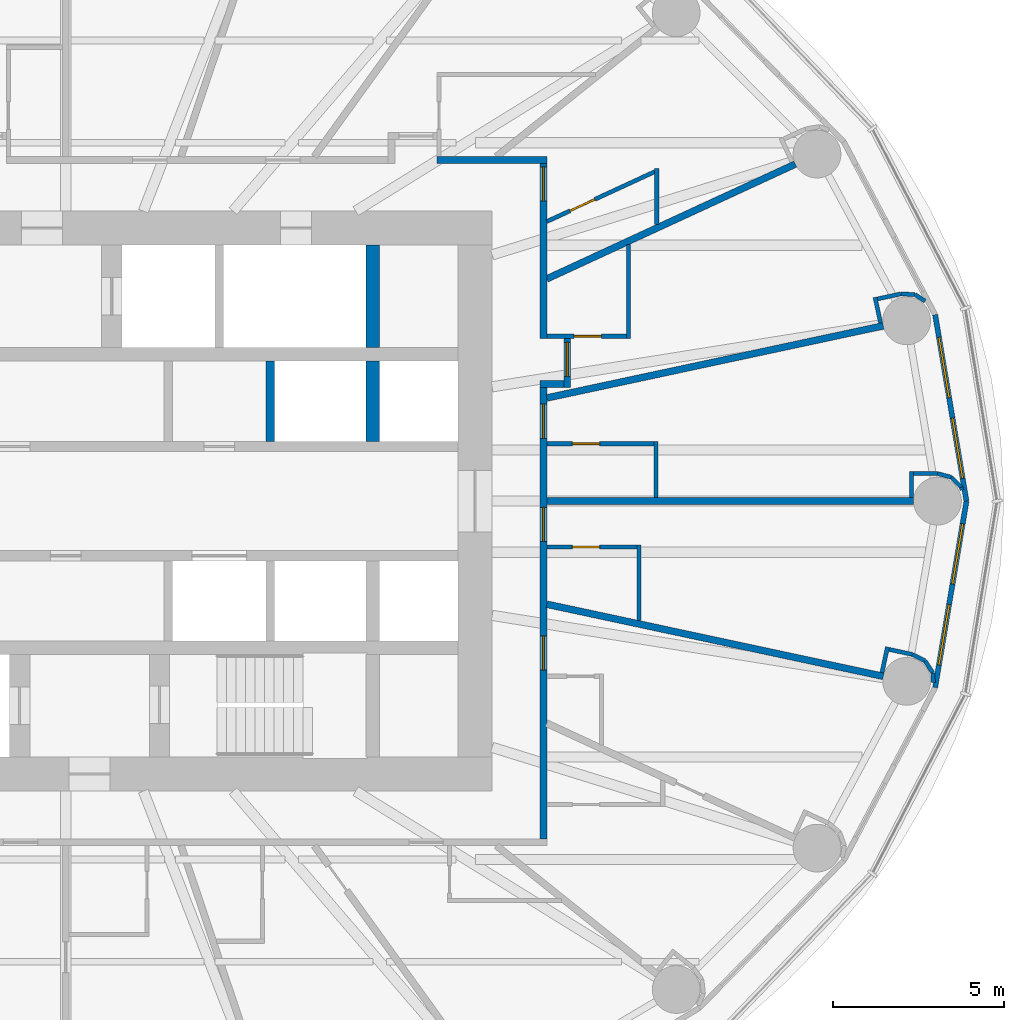
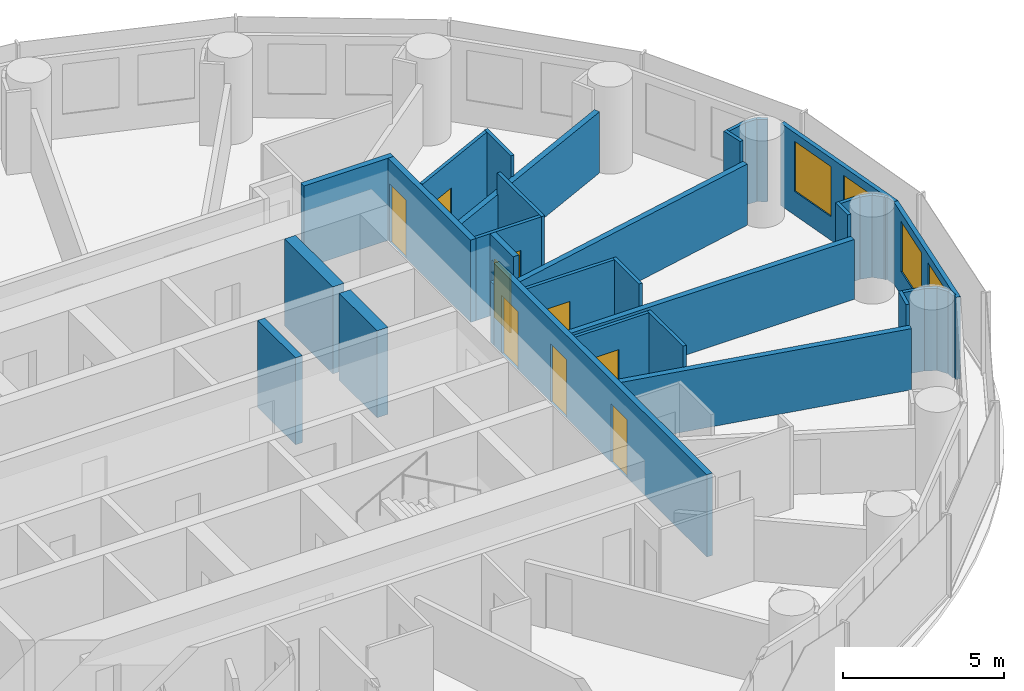
# One storey, part 11 of 16: 36 walls, 9 doors, 4 windows, 13 openings.
"""IFC4 building model written with IfcOpenShell, lengths in metres."""

from ifc_helpers import new_model, si_unit, direction, frame, frame_2d, origin, place, context, subcontext, project, spatial, rectangle, extrude, material, layer, layer_set, type_object, element, fill, save


model = new_model("IFC4")

# Units and contexts
model_context = context("Model", 3, precision=1e-05, world=origin(), true_north=direction((0.0, 1.0)))
body_context = subcontext(model_context, "Body", "Model", "MODEL_VIEW")
ifc_project = project(units=[si_unit("LENGTHUNIT", "METRE"), si_unit("AREAUNIT", "SQUARE_METRE"), si_unit("VOLUMEUNIT", "CUBIC_METRE"), si_unit("PLANEANGLEUNIT", "RADIAN"), si_unit("MASSUNIT", "GRAM", prefix="KILO")], contexts=[model_context])

# Site, building, storey
site_placement = place(None, origin())
site = spatial("IfcSite", under=ifc_project, at=site_placement, CompositionType="ELEMENT")
building_placement = place(site_placement, origin())
building = spatial("IfcBuilding", under=site, at=building_placement, Name="Hankou Lantern Tower", CompositionType="ELEMENT")
storey_placement = place(building_placement, frame((0.0, 0.0, 70.5)))
storey = spatial("IfcBuildingStorey", under=building, at=storey_placement, Name="L17", CompositionType="ELEMENT", Elevation=70.5)

# Walls
ifc_material_1 = material(Name="Concrete C60", Category="concrete")
ifc_layer_1 = layer(ifc_material_1, 0.39990234375)
ifc_layer_set_1 = layer_set([ifc_layer_1], Name="Concrete C60")
wall_type_1 = type_object("IfcWallType", Name="CW4 CORE CROSS WALL 400", PredefinedType="SHEAR", material=ifc_layer_set_1)
wall_1_placement = place(storey_placement, frame((9.0, 4.5, 0.0), z_axis=(0.0, 0.0, 1.0), x_axis=(0.0, 1.0, 0.0)))
element("IfcWall", 1, at=wall_1_placement, inside=storey, type_object=wall_type_1, Name="Core strip wall L17", PredefinedType="SHEAR", context=body_context, shape_type="SweptSolid", body=[
    extrude(rectangle(XDim=3.0, YDim=0.39990234375, at=frame_2d((1.5, 0.0))), origin(), (0.0, 0.0, 1.0), 3.300048828125),
])
wall_2_placement = place(storey_placement, frame((9.0, 1.75, 0.0), z_axis=(0.0, 0.0, 1.0), x_axis=(0.0, 1.0, 0.0)))
element("IfcWall", 2, at=wall_2_placement, inside=storey, type_object=wall_type_1, Name="Core strip wall L17", PredefinedType="SHEAR", context=body_context, shape_type="SweptSolid", body=[
    extrude(rectangle(XDim=2.35009765625, YDim=0.39990234375, at=frame_2d((1.175048828125, 0.0))), origin(), (0.0, 0.0, 1.0), 3.300048828125),
])

# Wall, openings, windows
ifc_material_2 = material(Name="Aluminium spandrel panel on steel studs", Category="steel")
ifc_layer_2 = layer(ifc_material_2, 0.14990234375)
ifc_layer_set_2 = layer_set([ifc_layer_2], Name="Aluminium spandrel panel on steel studs")
wall_type_2 = type_object("IfcWallType", Name="EW1 INNER SKIN WALL 150", PredefinedType="ELEMENTEDWALL", material=ifc_layer_set_2)
wall_3_placement = place(storey_placement, frame((26.39990234375, 0.0, 0.0), z_axis=(0.0, 0.0, 1.0), x_axis=(-0.165642551694, 0.986185857264, 0.0)))
wall_3 = element("IfcWall", 3, at=wall_3_placement, inside=storey, type_object=wall_type_2, Name="Inner skin R01-R02 L17", PredefinedType="ELEMENTEDWALL", context=body_context, shape_type="SweptSolid", body=[
    extrude(rectangle(XDim=5.538818359375, YDim=0.14990234375, at=frame_2d((2.76953125, 0.0))), origin(), (0.0, 0.0, 1.0), 3.1201171875),
])
opening_1_placement = place(wall_3_placement, frame((0.66943359375, 0.0, 0.89990234375)))
opening_1 = element("IfcOpeningElement", 4, at=opening_1_placement, cuts=wall_3, Name="Opening W1", PredefinedType="OPENING", context=body_context, shape_type="SweptSolid", body=[
    extrude(rectangle(XDim=1.800048828125, YDim=1.89990234375, at=frame_2d((0.89990234375, 0.949951171875))), frame((0.0, 0.0849609375, 0.0), z_axis=(0.0, -1.0, 0.0), x_axis=(1.0, 0.0, 0.0)), (0.0, 0.0, 1.0), 0.169921875),
])
opening_2_placement = place(wall_3_placement, frame((3.069580078125, 0.0, 0.89990234375)))
opening_2 = element("IfcOpeningElement", 5, at=opening_2_placement, cuts=wall_3, Name="Opening W1", PredefinedType="OPENING", context=body_context, shape_type="SweptSolid", body=[
    extrude(rectangle(XDim=1.800048828125, YDim=1.89990234375, at=frame_2d((0.89990234375, 0.949951171875))), frame((0.0, 0.0849609375, 0.0), z_axis=(0.0, -1.0, 0.0), x_axis=(1.0, 0.0, 0.0)), (0.0, 0.0, 1.0), 0.169921875),
])
ifc_material_3 = material(Name="Aluminium framed double glazed window", Category="aluminium")
window_type = type_object("IfcWindowType", Name="W1 GUEST ROOM WINDOW 1800X1900", PartitioningType="DOUBLE_PANEL_VERTICAL", PredefinedType="WINDOW", material=ifc_material_3)
window_1_placement = place(opening_1_placement, origin())
window_1 = element("IfcWindow", 6, at=window_1_placement, inside=storey, type_object=window_type, Name="Window R01.1 L17", OverallHeight=1.89990234375, OverallWidth=1.800048828125, PartitioningType="SINGLE_PANEL", PredefinedType="WINDOW", context=body_context, shape_type="SweptSolid", body=[
    extrude(rectangle(XDim=1.800048828125, YDim=1.89990234375, at=frame_2d((0.89990234375, 0.949951171875))), frame((0.0, 0.030029296875, 0.0), z_axis=(0.0, -1.0, 0.0), x_axis=(1.0, 0.0, 0.0)), (0.0, 0.0, 1.0), 0.06005859375),
])
fill(opening_1, window_1)
window_2_placement = place(opening_2_placement, origin())
window_2 = element("IfcWindow", 7, at=window_2_placement, inside=storey, type_object=window_type, Name="Window R01.2 L17", OverallHeight=1.89990234375, OverallWidth=1.800048828125, PartitioningType="SINGLE_PANEL", PredefinedType="WINDOW", context=body_context, shape_type="SweptSolid", body=[
    extrude(rectangle(XDim=1.800048828125, YDim=1.89990234375, at=frame_2d((0.89990234375, 0.949951171875))), frame((0.0, 0.030029296875, 0.0), z_axis=(0.0, -1.0, 0.0), x_axis=(1.0, 0.0, 0.0)), (0.0, 0.0, 1.0), 0.06005859375),
])
fill(opening_2, window_2)

wall_4_placement = place(storey_placement, frame((25.482421875, -5.46240234375, 0.0), z_axis=(0.0, 0.0, 1.0), x_axis=(0.165642551694, 0.986185857264, 0.0)))
wall_4 = element("IfcWall", 8, at=wall_4_placement, inside=storey, type_object=wall_type_2, Name="Inner skin R24-R01 L17", PredefinedType="ELEMENTEDWALL", context=body_context, shape_type="SweptSolid", body=[
    extrude(rectangle(XDim=5.538818359375, YDim=0.14990234375, at=frame_2d((2.76953125, 0.0))), origin(), (0.0, 0.0, 1.0), 3.1201171875),
])
opening_3_placement = place(wall_4_placement, frame((0.66943359375, 0.0, 0.89990234375)))
opening_3 = element("IfcOpeningElement", 9, at=opening_3_placement, cuts=wall_4, Name="Opening W1", PredefinedType="OPENING", context=body_context, shape_type="SweptSolid", body=[
    extrude(rectangle(XDim=1.800048828125, YDim=1.89990234375, at=frame_2d((0.89990234375, 0.949951171875))), frame((0.0, 0.0849609375, 0.0), z_axis=(0.0, -1.0, 0.0), x_axis=(1.0, 0.0, 0.0)), (0.0, 0.0, 1.0), 0.169921875),
])
opening_4_placement = place(wall_4_placement, frame((3.069580078125, 0.0, 0.89990234375)))
opening_4 = element("IfcOpeningElement", 10, at=opening_4_placement, cuts=wall_4, Name="Opening W1", PredefinedType="OPENING", context=body_context, shape_type="SweptSolid", body=[
    extrude(rectangle(XDim=1.800048828125, YDim=1.89990234375, at=frame_2d((0.89990234375, 0.949951171875))), frame((0.0, 0.0849609375, 0.0), z_axis=(0.0, -1.0, 0.0), x_axis=(1.0, 0.0, 0.0)), (0.0, 0.0, 1.0), 0.169921875),
])
window_3_placement = place(opening_3_placement, origin())
window_3 = element("IfcWindow", 11, at=window_3_placement, inside=storey, type_object=window_type, Name="Window R24.1 L17", OverallHeight=1.89990234375, OverallWidth=1.800048828125, PartitioningType="SINGLE_PANEL", PredefinedType="WINDOW", context=body_context, shape_type="SweptSolid", body=[
    extrude(rectangle(XDim=1.800048828125, YDim=1.89990234375, at=frame_2d((0.89990234375, 0.949951171875))), frame((0.0, 0.030029296875, 0.0), z_axis=(0.0, -1.0, 0.0), x_axis=(1.0, 0.0, 0.0)), (0.0, 0.0, 1.0), 0.06005859375),
])
fill(opening_3, window_3)
window_4_placement = place(opening_4_placement, origin())
window_4 = element("IfcWindow", 12, at=window_4_placement, inside=storey, type_object=window_type, Name="Window R24.2 L17", OverallHeight=1.89990234375, OverallWidth=1.800048828125, PartitioningType="SINGLE_PANEL", PredefinedType="WINDOW", context=body_context, shape_type="SweptSolid", body=[
    extrude(rectangle(XDim=1.800048828125, YDim=1.89990234375, at=frame_2d((0.89990234375, 0.949951171875))), frame((0.0, 0.030029296875, 0.0), z_axis=(0.0, -1.0, 0.0), x_axis=(1.0, 0.0, 0.0)), (0.0, 0.0, 1.0), 0.06005859375),
])
fill(opening_4, window_4)

# Walls
ifc_material_4 = material(Name="Masonry lightweight concrete block", Category="masonry")
ifc_layer_3 = layer(ifc_material_4, 0.199951171875)
ifc_layer_set_3 = layer_set([ifc_layer_3], Name="Masonry lightweight concrete block")
wall_type_3 = type_object("IfcWallType", Name="IW1 GUEST ROOM PARTY WALL 200", PredefinedType="PARTITIONING", material=ifc_layer_set_3)
wall_5_placement = place(storey_placement, frame((14.10009765625, 0.0, 0.0), z_axis=(0.0, 0.0, 1.0), x_axis=(1.0, 0.0, 0.0)))
element("IfcWall", 13, at=wall_5_placement, inside=storey, type_object=wall_type_3, Name="Party wall R01", PredefinedType="PARTITIONING", context=body_context, shape_type="SweptSolid", body=[
    extrude(rectangle(XDim=10.75, YDim=0.199951171875, at=frame_2d((5.375, 0.0))), origin(), (0.0, 0.0, 1.0), 2.27001953125),
])
wall_6_placement = place(storey_placement, frame((14.10009765625, 3.0224609375, 0.0), z_axis=(0.0, 0.0, 1.0), x_axis=(0.977790014929, 0.209586943072, 0.0)))
element("IfcWall", 14, at=wall_6_placement, inside=storey, type_object=wall_type_3, Name="Party wall R02", PredefinedType="PARTITIONING", context=body_context, shape_type="SweptSolid", body=[
    extrude(rectangle(XDim=10.086669921875, YDim=0.199951171875, at=frame_2d((5.04345703125, 0.0))), origin(), (0.0, 0.0, 1.0), 2.320068359375),
])
wall_7_placement = place(storey_placement, frame((14.10009765625, 6.512451171875, 0.0), z_axis=(0.0, 0.0, 1.0), x_axis=(0.907832871056, 0.419332181247, 0.0)))
element("IfcWall", 15, at=wall_7_placement, inside=storey, type_object=wall_type_3, Name="Party wall R03", PredefinedType="PARTITIONING", context=body_context, shape_type="SweptSolid", body=[
    extrude(rectangle(XDim=8.02294921875, YDim=0.199951171875, at=frame_2d((4.011474609375, 0.0))), origin(), (0.0, 0.0, 1.0), 2.320068359375),
])
wall_8_placement = place(storey_placement, frame((14.10009765625, -3.0224609375, 0.0), z_axis=(0.0, 0.0, 1.0), x_axis=(0.977790014929, -0.209586943072, 0.0)))
element("IfcWall", 16, at=wall_8_placement, inside=storey, type_object=wall_type_3, Name="Party wall R24", PredefinedType="PARTITIONING", context=body_context, shape_type="SweptSolid", body=[
    extrude(rectangle(XDim=10.086669921875, YDim=0.199951171875, at=frame_2d((5.04345703125, 0.0))), origin(), (0.0, 0.0, 1.0), 2.320068359375),
])

# Wall, opening, door
ifc_material_5 = material(Name="Masonry lightweight concrete block", Category="masonry")
ifc_layer_4 = layer(ifc_material_5, 0.199951171875)
ifc_layer_set_4 = layer_set([ifc_layer_4], Name="Masonry lightweight concrete block")
wall_type_4 = type_object("IfcWallType", Name="IW2 CORRIDOR WALL 200", PredefinedType="PARTITIONING", material=ifc_layer_set_4)
wall_9_placement = place(storey_placement, frame((14.699951171875, 3.33251953125, 0.0), z_axis=(0.0, 0.0, 1.0), x_axis=(0.0, 1.0, 0.0)))
wall_9 = element("IfcWall", 17, at=wall_9_placement, inside=storey, type_object=wall_type_4, Name="Corridor recess wall 1707 back", PredefinedType="PARTITIONING", context=body_context, shape_type="SweptSolid", body=[
    extrude(rectangle(XDim=1.43994140625, YDim=0.199951171875, at=frame_2d((0.719970703125, 0.0))), origin(), (0.0, 0.0, 1.0), 3.1201171875),
])
opening_5_placement = place(wall_9_placement, frame((0.320068359375, 0.0, 0.0)))
opening_5 = element("IfcOpeningElement", 18, at=opening_5_placement, cuts=wall_9, Name="Opening D1", PredefinedType="OPENING", context=body_context, shape_type="SweptSolid", body=[
    extrude(rectangle(XDim=1.0, YDim=2.199951171875, at=frame_2d((0.5, 1.10009765625))), frame((0.0, 0.10986328125, 0.0), z_axis=(0.0, -1.0, 0.0), x_axis=(1.0, 0.0, 0.0)), (0.0, 0.0, 1.0), 0.219970703125),
])
ifc_material_6 = material(Name="Steel door leaf", Category="steel")
door_type_1 = type_object("IfcDoorType", Name="D1 GUEST ROOM DOOR 1000X2200", OperationType="SINGLE_SWING_LEFT", PredefinedType="DOOR", material=ifc_material_6)
door_1_placement = place(opening_5_placement, origin())
door_1 = element("IfcDoor", 19, at=door_1_placement, inside=storey, type_object=door_type_1, Name="Guest room door 1707", OperationType="SINGLE_SWING_RIGHT", OverallHeight=2.199951171875, OverallWidth=1.0, PredefinedType="DOOR", context=body_context, shape_type="SweptSolid", body=[
    extrude(rectangle(XDim=1.0, YDim=2.199951171875, at=frame_2d((0.5, 1.10009765625))), frame((0.0, 0.02490234375, 0.0), z_axis=(0.0, -1.0, 0.0), x_axis=(1.0, 0.0, 0.0)), (0.0, 0.0, 1.0), 0.050048828125),
])
fill(opening_5, door_1)

# Wall
wall_10_placement = place(storey_placement, frame((13.89990234375, 3.4326171875, 0.0), z_axis=(0.0, 0.0, 1.0), x_axis=(1.0, 0.0, 0.0)))
element("IfcWall", 20, at=wall_10_placement, inside=storey, type_object=wall_type_4, Name="Corridor recess wall 1707 side", PredefinedType="PARTITIONING", context=body_context, shape_type="SweptSolid", body=[
    extrude(rectangle(XDim=0.7001953125, YDim=0.199951171875, at=frame_2d((0.35009765625, 0.0))), origin(), (0.0, 0.0, 1.0), 2.320068359375),
])

# Wall, openings, doors
wall_11_placement = place(storey_placement, frame((14.0, -9.89990234375, 0.0), z_axis=(0.0, 0.0, 1.0), x_axis=(0.0, 1.0, 0.0)))
wall_11 = element("IfcWall", 21, at=wall_11_placement, inside=storey, type_object=wall_type_4, Name="Corridor wall east", PredefinedType="PARTITIONING", context=body_context, shape_type="SweptSolid", body=[
    extrude(rectangle(XDim=13.232421875, YDim=0.199951171875, at=frame_2d((6.6162109375, 0.0))), origin(), (0.0, 0.0, 1.0), 3.1201171875),
])
opening_6_placement = place(wall_11_placement, frame((4.947509765625, 0.0, 0.0)))
opening_6 = element("IfcOpeningElement", 22, at=opening_6_placement, cuts=wall_11, Name="Opening D2", PredefinedType="OPENING", context=body_context, shape_type="SweptSolid", body=[
    extrude(rectangle(XDim=1.0, YDim=2.199951171875, at=frame_2d((0.5, 1.10009765625))), frame((0.0, 0.10986328125, 0.0), z_axis=(0.0, -1.0, 0.0), x_axis=(1.0, 0.0, 0.0)), (0.0, 0.0, 1.0), 0.219970703125),
])
opening_7_placement = place(wall_11_placement, frame((8.717529296875, 0.0, 0.0)))
opening_7 = element("IfcOpeningElement", 23, at=opening_7_placement, cuts=wall_11, Name="Opening D1", PredefinedType="OPENING", context=body_context, shape_type="SweptSolid", body=[
    extrude(rectangle(XDim=1.0, YDim=2.199951171875, at=frame_2d((0.5, 1.10009765625))), frame((0.0, 0.10986328125, 0.0), z_axis=(0.0, -1.0, 0.0), x_axis=(1.0, 0.0, 0.0)), (0.0, 0.0, 1.0), 0.219970703125),
])
opening_8_placement = place(wall_11_placement, frame((11.739990234375, 0.0, 0.0)))
opening_8 = element("IfcOpeningElement", 24, at=opening_8_placement, cuts=wall_11, Name="Opening D1", PredefinedType="OPENING", context=body_context, shape_type="SweptSolid", body=[
    extrude(rectangle(XDim=1.0, YDim=2.199951171875, at=frame_2d((0.5, 1.10009765625))), frame((0.0, 0.10986328125, 0.0), z_axis=(0.0, -1.0, 0.0), x_axis=(1.0, 0.0, 0.0)), (0.0, 0.0, 1.0), 0.219970703125),
])
door_2_placement = place(opening_7_placement, origin())
door_2 = element("IfcDoor", 25, at=door_2_placement, inside=storey, type_object=door_type_1, Name="Guest room door 1705", OperationType="SINGLE_SWING_LEFT", OverallHeight=2.199951171875, OverallWidth=1.0, PredefinedType="DOOR", context=body_context, shape_type="SweptSolid", body=[
    extrude(rectangle(XDim=1.0, YDim=2.199951171875, at=frame_2d((0.5, 1.10009765625))), frame((0.0, 0.02490234375, 0.0), z_axis=(0.0, -1.0, 0.0), x_axis=(1.0, 0.0, 0.0)), (0.0, 0.0, 1.0), 0.050048828125),
])
fill(opening_7, door_2)
door_3_placement = place(opening_8_placement, origin())
door_3 = element("IfcDoor", 26, at=door_3_placement, inside=storey, type_object=door_type_1, Name="Guest room door 1706", OperationType="SINGLE_SWING_LEFT", OverallHeight=2.199951171875, OverallWidth=1.0, PredefinedType="DOOR", context=body_context, shape_type="SweptSolid", body=[
    extrude(rectangle(XDim=1.0, YDim=2.199951171875, at=frame_2d((0.5, 1.10009765625))), frame((0.0, 0.02490234375, 0.0), z_axis=(0.0, -1.0, 0.0), x_axis=(1.0, 0.0, 0.0)), (0.0, 0.0, 1.0), 0.050048828125),
])
fill(opening_8, door_3)
ifc_material_7 = material(Name="Steel door leaf", Category="steel")
door_type_2 = type_object("IfcDoorType", Name="D2 SUITE DOOR 1000X2200", OperationType="SINGLE_SWING_LEFT", PredefinedType="DOOR", material=ifc_material_7)
door_4_placement = place(opening_6_placement, origin())
door_4 = element("IfcDoor", 27, at=door_4_placement, inside=storey, type_object=door_type_2, Name="Suite door 1704C", OperationType="SINGLE_SWING_LEFT", OverallHeight=2.199951171875, OverallWidth=1.0, PredefinedType="DOOR", context=body_context, shape_type="SweptSolid", body=[
    extrude(rectangle(XDim=1.0, YDim=2.199951171875, at=frame_2d((0.5, 1.10009765625))), frame((0.0, 0.02490234375, 0.0), z_axis=(0.0, -1.0, 0.0), x_axis=(1.0, 0.0, 0.0)), (0.0, 0.0, 1.0), 0.050048828125),
])
fill(opening_6, door_4)

# Wall, opening, door
wall_12_placement = place(storey_placement, frame((14.0, 4.7724609375, 0.0), z_axis=(0.0, 0.0, 1.0), x_axis=(0.0, 1.0, 0.0)))
wall_12 = element("IfcWall", 28, at=wall_12_placement, inside=storey, type_object=wall_type_4, Name="Corridor wall east", PredefinedType="PARTITIONING", context=body_context, shape_type="SweptSolid", body=[
    extrude(rectangle(XDim=5.12744140625, YDim=0.199951171875, at=frame_2d((2.563720703125, 0.0))), origin(), (0.0, 0.0, 1.0), 3.1201171875),
])
opening_9_placement = place(wall_12_placement, frame((4.02490234375, 0.0, 0.0)))
opening_9 = element("IfcOpeningElement", 29, at=opening_9_placement, cuts=wall_12, Name="Opening D1", PredefinedType="OPENING", context=body_context, shape_type="SweptSolid", body=[
    extrude(rectangle(XDim=1.0, YDim=2.199951171875, at=frame_2d((0.5, 1.10009765625))), frame((0.0, 0.10986328125, 0.0), z_axis=(0.0, -1.0, 0.0), x_axis=(1.0, 0.0, 0.0)), (0.0, 0.0, 1.0), 0.219970703125),
])
door_5_placement = place(opening_9_placement, origin())
door_5 = element("IfcDoor", 30, at=door_5_placement, inside=storey, type_object=door_type_1, Name="Guest room door 1708", OperationType="SINGLE_SWING_RIGHT", OverallHeight=2.199951171875, OverallWidth=1.0, PredefinedType="DOOR", context=body_context, shape_type="SweptSolid", body=[
    extrude(rectangle(XDim=1.0, YDim=2.199951171875, at=frame_2d((0.5, 1.10009765625))), frame((0.0, 0.02490234375, 0.0), z_axis=(0.0, -1.0, 0.0), x_axis=(1.0, 0.0, 0.0)), (0.0, 0.0, 1.0), 0.050048828125),
])
fill(opening_9, door_5)

# Walls
wall_13_placement = place(storey_placement, frame((10.885009765625, 10.0, 0.0), z_axis=(0.0, 0.0, 1.0), x_axis=(1.0, 0.0, 0.0)))
element("IfcWall", 31, at=wall_13_placement, inside=storey, type_object=wall_type_4, Name="Corridor wall north", PredefinedType="PARTITIONING", context=body_context, shape_type="SweptSolid", body=[
    extrude(rectangle(XDim=3.215087890625, YDim=0.199951171875, at=frame_2d((1.607421875, 0.0))), origin(), (0.0, 0.0, 1.0), 3.1201171875),
])
ifc_material_8 = material(Name="Masonry lightweight concrete block", Category="masonry")
ifc_layer_5 = layer(ifc_material_8, 0.1201171875)
ifc_layer_set_5 = layer_set([ifc_layer_5], Name="Masonry lightweight concrete block")
wall_type_5 = type_object("IfcWallType", Name="IW3 BATHROOM WALL 120", PredefinedType="PARTITIONING", material=ifc_layer_set_5)
wall_14_placement = place(storey_placement, frame((16.800048828125, -3.501220703125, 0.0), z_axis=(0.0, 0.0, 1.0), x_axis=(0.0, 1.0, 0.0)))
element("IfcWall", 32, at=wall_14_placement, inside=storey, type_object=wall_type_5, Name="Box wall 1705 1", PredefinedType="PARTITIONING", context=body_context, shape_type="SweptSolid", body=[
    extrude(rectangle(XDim=2.21875, YDim=0.1201171875, at=frame_2d((1.109375, 0.0))), origin(), (0.0, 0.0, 1.0), 3.1201171875),
])

# Wall, opening, door
wall_15_placement = place(storey_placement, frame((14.10009765625, -1.342529296875, 0.0), z_axis=(0.0, 0.0, 1.0), x_axis=(1.0, 0.0, 0.0)))
wall_15 = element("IfcWall", 33, at=wall_15_placement, inside=storey, type_object=wall_type_5, Name="Box wall 1705 1", PredefinedType="PARTITIONING", context=body_context, shape_type="SweptSolid", body=[
    extrude(rectangle(XDim=2.639892578125, YDim=0.1201171875, at=frame_2d((1.31982421875, 0.0))), origin(), (0.0, 0.0, 1.0), 3.1201171875),
])
opening_10_placement = place(wall_15_placement, frame((0.75, 0.0, 0.0)))
opening_10 = element("IfcOpeningElement", 34, at=opening_10_placement, cuts=wall_15, Name="Opening D3", PredefinedType="OPENING", context=body_context, shape_type="SweptSolid", body=[
    extrude(rectangle(XDim=0.800048828125, YDim=2.10009765625, at=frame_2d((0.39990234375, 1.050048828125))), frame((0.0, 0.070068359375, 0.0), z_axis=(0.0, -1.0, 0.0), x_axis=(1.0, 0.0, 0.0)), (0.0, 0.0, 1.0), 0.14013671875),
])
ifc_material_9 = material(Name="Timber door leaf", Category="wood")
door_type_3 = type_object("IfcDoorType", Name="D3 BATHROOM DOOR 800X2100", OperationType="SINGLE_SWING_LEFT", PredefinedType="DOOR", material=ifc_material_9)
door_6_placement = place(opening_10_placement, origin())
door_6 = element("IfcDoor", 35, at=door_6_placement, inside=storey, type_object=door_type_3, Name="En-suite bathroom 1705 door", OperationType="SINGLE_SWING_LEFT", OverallHeight=2.10009765625, OverallWidth=0.800048828125, PredefinedType="DOOR", context=body_context, shape_type="SweptSolid", body=[
    extrude(rectangle(XDim=0.800048828125, YDim=2.10009765625, at=frame_2d((0.39990234375, 1.050048828125))), frame((0.0, 0.02490234375, 0.0), z_axis=(0.0, -1.0, 0.0), x_axis=(1.0, 0.0, 0.0)), (0.0, 0.0, 1.0), 0.050048828125),
])
fill(opening_10, door_6)

# Wall
wall_16_placement = place(storey_placement, frame((17.300048828125, 0.10009765625, 0.0), z_axis=(0.0, 0.0, 1.0), x_axis=(0.0, 1.0, 0.0)))
element("IfcWall", 36, at=wall_16_placement, inside=storey, type_object=wall_type_5, Name="Box wall 1706 1", PredefinedType="PARTITIONING", context=body_context, shape_type="SweptSolid", body=[
    extrude(rectangle(XDim=1.639892578125, YDim=0.1201171875, at=frame_2d((0.81982421875, 0.0))), origin(), (0.0, 0.0, 1.0), 3.1201171875),
])

# Wall, opening, door
wall_17_placement = place(storey_placement, frame((14.10009765625, 1.679931640625, 0.0), z_axis=(0.0, 0.0, 1.0), x_axis=(1.0, 0.0, 0.0)))
wall_17 = element("IfcWall", 37, at=wall_17_placement, inside=storey, type_object=wall_type_5, Name="Box wall 1706 1", PredefinedType="PARTITIONING", context=body_context, shape_type="SweptSolid", body=[
    extrude(rectangle(XDim=3.139892578125, YDim=0.1201171875, at=frame_2d((1.56982421875, 0.0))), origin(), (0.0, 0.0, 1.0), 3.1201171875),
])
opening_11_placement = place(wall_17_placement, frame((0.75, 0.0, 0.0)))
opening_11 = element("IfcOpeningElement", 38, at=opening_11_placement, cuts=wall_17, Name="Opening D3", PredefinedType="OPENING", context=body_context, shape_type="SweptSolid", body=[
    extrude(rectangle(XDim=0.800048828125, YDim=2.10009765625, at=frame_2d((0.39990234375, 1.050048828125))), frame((0.0, 0.070068359375, 0.0), z_axis=(0.0, -1.0, 0.0), x_axis=(1.0, 0.0, 0.0)), (0.0, 0.0, 1.0), 0.14013671875),
])
door_7_placement = place(opening_11_placement, origin())
door_7 = element("IfcDoor", 39, at=door_7_placement, inside=storey, type_object=door_type_3, Name="En-suite bathroom 1706 door", OperationType="SINGLE_SWING_LEFT", OverallHeight=2.10009765625, OverallWidth=0.800048828125, PredefinedType="DOOR", context=body_context, shape_type="SweptSolid", body=[
    extrude(rectangle(XDim=0.800048828125, YDim=2.10009765625, at=frame_2d((0.39990234375, 1.050048828125))), frame((0.0, 0.02490234375, 0.0), z_axis=(0.0, -1.0, 0.0), x_axis=(1.0, 0.0, 0.0)), (0.0, 0.0, 1.0), 0.050048828125),
])
fill(opening_11, door_7)

# Wall
wall_18_placement = place(storey_placement, frame((16.5, 7.52099609375, 0.0), z_axis=(0.0, 0.0, 1.0), x_axis=(0.0, -1.0, 0.0)))
element("IfcWall", 40, at=wall_18_placement, inside=storey, type_object=wall_type_5, Name="Box wall 1707 1", PredefinedType="PARTITIONING", context=body_context, shape_type="SweptSolid", body=[
    extrude(rectangle(XDim=2.74853515625, YDim=0.1201171875, at=frame_2d((1.374267578125, 0.0))), origin(), (0.0, 0.0, 1.0), 3.1201171875),
])

# Wall, opening, door
wall_19_placement = place(storey_placement, frame((14.10009765625, 4.83251953125, 0.0), z_axis=(0.0, 0.0, 1.0), x_axis=(1.0, 0.0, 0.0)))
wall_19 = element("IfcWall", 41, at=wall_19_placement, inside=storey, type_object=wall_type_5, Name="Box wall 1707 1", PredefinedType="PARTITIONING", context=body_context, shape_type="SweptSolid", body=[
    extrude(rectangle(XDim=2.33984375, YDim=0.1201171875, at=frame_2d((1.169921875, 0.0))), origin(), (0.0, 0.0, 1.0), 3.1201171875),
])
opening_12_placement = place(wall_19_placement, frame((0.800048828125, 0.0, 0.0)))
opening_12 = element("IfcOpeningElement", 42, at=opening_12_placement, cuts=wall_19, Name="Opening D3", PredefinedType="OPENING", context=body_context, shape_type="SweptSolid", body=[
    extrude(rectangle(XDim=0.800048828125, YDim=2.10009765625, at=frame_2d((0.39990234375, 1.050048828125))), frame((0.0, 0.070068359375, 0.0), z_axis=(0.0, -1.0, 0.0), x_axis=(1.0, 0.0, 0.0)), (0.0, 0.0, 1.0), 0.14013671875),
])
door_8_placement = place(opening_12_placement, origin())
door_8 = element("IfcDoor", 43, at=door_8_placement, inside=storey, type_object=door_type_3, Name="En-suite bathroom 1707 door", OperationType="SINGLE_SWING_RIGHT", OverallHeight=2.10009765625, OverallWidth=0.800048828125, PredefinedType="DOOR", context=body_context, shape_type="SweptSolid", body=[
    extrude(rectangle(XDim=0.800048828125, YDim=2.10009765625, at=frame_2d((0.39990234375, 1.050048828125))), frame((0.0, 0.02490234375, 0.0), z_axis=(0.0, -1.0, 0.0), x_axis=(1.0, 0.0, 0.0)), (0.0, 0.0, 1.0), 0.050048828125),
])
fill(opening_12, door_8)

# Wall
wall_20_placement = place(storey_placement, frame((17.32275390625, 8.10107421875, 0.0), z_axis=(0.0, 0.0, 1.0), x_axis=(0.0, 1.0, 0.0)))
element("IfcWall", 44, at=wall_20_placement, inside=storey, type_object=wall_type_5, Name="Box wall 1708 1", PredefinedType="PARTITIONING", context=body_context, shape_type="SweptSolid", body=[
    extrude(rectangle(XDim=1.639892578125, YDim=0.1201171875, at=frame_2d((0.81982421875, 0.0))), origin(), (0.0, 0.0, 1.0), 3.1201171875),
])

# Wall, opening, door
wall_21_placement = place(storey_placement, frame((14.10009765625, 8.192626953125, 0.0), z_axis=(0.0, 0.0, 1.0), x_axis=(0.907836493557, 0.419324338628, 0.0)))
wall_21 = element("IfcWall", 45, at=wall_21_placement, inside=storey, type_object=wall_type_5, Name="Box wall 1708 1", PredefinedType="PARTITIONING", context=body_context, shape_type="SweptSolid", body=[
    extrude(rectangle(XDim=3.48974609375, YDim=0.1201171875, at=frame_2d((1.744873046875, 0.0))), origin(), (0.0, 0.0, 1.0), 3.1201171875),
])
opening_13_placement = place(wall_21_placement, frame((0.75, 0.0, 0.0)))
opening_13 = element("IfcOpeningElement", 46, at=opening_13_placement, cuts=wall_21, Name="Opening D3", PredefinedType="OPENING", context=body_context, shape_type="SweptSolid", body=[
    extrude(rectangle(XDim=0.800048828125, YDim=2.10009765625, at=frame_2d((0.39990234375, 1.050048828125))), frame((0.0, 0.070068359375, 0.0), z_axis=(0.0, -1.0, 0.0), x_axis=(1.0, 0.0, 0.0)), (0.0, 0.0, 1.0), 0.14013671875),
])
door_9_placement = place(opening_13_placement, origin())
door_9 = element("IfcDoor", 47, at=door_9_placement, inside=storey, type_object=door_type_3, Name="En-suite bathroom 1708 door", OperationType="SINGLE_SWING_LEFT", OverallHeight=2.10009765625, OverallWidth=0.800048828125, PredefinedType="DOOR", context=body_context, shape_type="SweptSolid", body=[
    extrude(rectangle(XDim=0.800048828125, YDim=2.10009765625, at=frame_2d((0.39990234375, 1.050048828125))), frame((0.0, 0.02490234375, 0.0), z_axis=(0.0, -1.0, 0.0), x_axis=(1.0, 0.0, 0.0)), (0.0, 0.0, 1.0), 0.050048828125),
])
fill(opening_13, door_9)

# Walls
ifc_material_10 = material(Name="Masonry lightweight concrete block", Category="masonry")
ifc_layer_6 = layer(ifc_material_10, 0.1201171875)
ifc_layer_set_6 = layer_set([ifc_layer_6], Name="Masonry lightweight concrete block")
wall_type_6 = type_object("IfcWallType", Name="IW4 PARTITION 120", PredefinedType="PARTITIONING", material=ifc_layer_set_6)
wall_22_placement = place(storey_placement, frame((24.7900390625, 0.10009765625, 0.0), z_axis=(0.0, 0.0, 1.0), x_axis=(0.0, 1.0, 0.0)))
element("IfcWall", 48, at=wall_22_placement, inside=storey, type_object=wall_type_6, Name="Column casing R01 return", PredefinedType="PARTITIONING", context=body_context, shape_type="SweptSolid", body=[
    extrude(rectangle(XDim=0.767333984375, YDim=0.1201171875, at=frame_2d((0.3837890625, 0.0))), origin(), (0.0, 0.0, 1.0), 3.1201171875),
])
wall_23_placement = place(storey_placement, frame((24.85009765625, 0.8076171875, 0.0), z_axis=(0.0, 0.0, 1.0), x_axis=(1.0, 0.0, 0.0)))
element("IfcWall", 49, at=wall_23_placement, inside=storey, type_object=wall_type_6, Name="Column casing R01", PredefinedType="PARTITIONING", context=body_context, shape_type="SweptSolid", body=[
    extrude(rectangle(XDim=0.699951171875, YDim=0.1201171875, at=frame_2d((0.35009765625, 0.0))), origin(), (0.0, 0.0, 1.0), 3.1201171875),
])
wall_24_placement = place(storey_placement, frame((25.550048828125, 0.8076171875, 0.0), z_axis=(0.0, 0.0, 1.0), x_axis=(0.965807183573, -0.2592614205, 0.0)))
element("IfcWall", 50, at=wall_24_placement, inside=storey, type_object=wall_type_6, Name="Column casing R01", PredefinedType="PARTITIONING", context=body_context, shape_type="SweptSolid", body=[
    extrude(rectangle(XDim=0.418212890625, YDim=0.1201171875, at=frame_2d((0.208984375, 0.0))), origin(), (0.0, 0.0, 1.0), 3.1201171875),
])
wall_25_placement = place(storey_placement, frame((25.953857421875, 0.69921875, 0.0), z_axis=(0.0, 0.0, 1.0), x_axis=(0.707106781187, -0.707106781187, 0.0)))
element("IfcWall", 51, at=wall_25_placement, inside=storey, type_object=wall_type_6, Name="Column casing R01", PredefinedType="PARTITIONING", context=body_context, shape_type="SweptSolid", body=[
    extrude(rectangle(XDim=0.417724609375, YDim=0.1201171875, at=frame_2d((0.208984375, 0.0))), origin(), (0.0, 0.0, 1.0), 3.1201171875),
])
wall_26_placement = place(storey_placement, frame((26.249267578125, 0.40380859375, 0.0), z_axis=(0.0, 0.0, 1.0), x_axis=(0.259754282609, -0.965674744759, 0.0)))
element("IfcWall", 52, at=wall_26_placement, inside=storey, type_object=wall_type_6, Name="Column casing R01", PredefinedType="PARTITIONING", context=body_context, shape_type="SweptSolid", body=[
    extrude(rectangle(XDim=0.079833984375, YDim=0.1201171875, at=frame_2d((0.0400390625, 0.0))), origin(), (0.0, 0.0, 1.0), 3.1201171875),
])
wall_27_placement = place(storey_placement, frame((23.8828125, 5.2216796875, 0.0), z_axis=(0.0, 0.0, 1.0), x_axis=(-0.209311842415, 0.977848941619, 0.0)))
element("IfcWall", 53, at=wall_27_placement, inside=storey, type_object=wall_type_6, Name="Column casing R02 return", PredefinedType="PARTITIONING", context=body_context, shape_type="SweptSolid", body=[
    extrude(rectangle(XDim=0.767578125, YDim=0.1201171875, at=frame_2d((0.3837890625, 0.0))), origin(), (0.0, 0.0, 1.0), 3.1201171875),
])
wall_28_placement = place(storey_placement, frame((23.793212890625, 5.92626953125, 0.0), z_axis=(0.0, 0.0, 1.0), x_axis=(0.977792206673, 0.209576717621, 0.0)))
element("IfcWall", 54, at=wall_28_placement, inside=storey, type_object=wall_type_6, Name="Column casing R02", PredefinedType="PARTITIONING", context=body_context, shape_type="SweptSolid", body=[
    extrude(rectangle(XDim=0.7001953125, YDim=0.1201171875, at=frame_2d((0.35009765625, 0.0))), origin(), (0.0, 0.0, 1.0), 3.1201171875),
])
wall_29_placement = place(storey_placement, frame((24.477783203125, 6.072998046875, 0.0), z_axis=(0.0, 0.0, 1.0), x_axis=(0.998708262812, -0.05081147302, 0.0)))
element("IfcWall", 55, at=wall_29_placement, inside=storey, type_object=wall_type_6, Name="Column casing R02", PredefinedType="PARTITIONING", context=body_context, shape_type="SweptSolid", body=[
    extrude(rectangle(XDim=0.41796875, YDim=0.1201171875, at=frame_2d((0.208984375, 0.0))), origin(), (0.0, 0.0, 1.0), 3.1201171875),
])
wall_30_placement = place(storey_placement, frame((24.895263671875, 6.0517578125, 0.0), z_axis=(0.0, 0.0, 1.0), x_axis=(0.839495197275, -0.54336710772, 0.0)))
element("IfcWall", 56, at=wall_30_placement, inside=storey, type_object=wall_type_6, Name="Column casing R02", PredefinedType="PARTITIONING", context=body_context, shape_type="SweptSolid", body=[
    extrude(rectangle(XDim=0.349609375, YDim=0.1201171875, at=frame_2d((0.1748046875, 0.0))), origin(), (0.0, 0.0, 1.0), 3.1201171875),
])
wall_31_placement = place(storey_placement, frame((23.9248046875, -5.026123046875, 0.0), z_axis=(0.0, 0.0, 1.0), x_axis=(0.209681192172, 0.977769808109, 0.0)))
element("IfcWall", 57, at=wall_31_placement, inside=storey, type_object=wall_type_6, Name="Column casing R24 return", PredefinedType="PARTITIONING", context=body_context, shape_type="SweptSolid", body=[
    extrude(rectangle(XDim=0.767333984375, YDim=0.1201171875, at=frame_2d((0.3837890625, 0.0))), origin(), (0.0, 0.0, 1.0), 3.1201171875),
])
wall_32_placement = place(storey_placement, frame((24.1318359375, -4.346923828125, 0.0), z_axis=(0.0, 0.0, 1.0), x_axis=(0.977776882509, -0.209648200638, 0.0)))
element("IfcWall", 58, at=wall_32_placement, inside=storey, type_object=wall_type_6, Name="Column casing R24", PredefinedType="PARTITIONING", context=body_context, shape_type="SweptSolid", body=[
    extrude(rectangle(XDim=0.699951171875, YDim=0.1201171875, at=frame_2d((0.35009765625, 0.0))), origin(), (0.0, 0.0, 1.0), 3.1201171875),
])
for number, where, z_axis, x_axis, name in (
    (59, (24.816162109375, -4.49365234375, 0.0), (0.0, 0.0, 1.0), (0.890303208847, -0.455368198623, 0.0), "Column casing R24"),
    (60, (25.1884765625, -4.68408203125, 0.0), (0.0, 0.0, 1.0), (0.543057568894, -0.839695466742, 0.0), "Column casing R24"),
):
    element("IfcWall", number, at=place(storey_placement, frame(where, z_axis=z_axis, x_axis=x_axis)), inside=storey, type_object=wall_type_6, Name=name, PredefinedType="PARTITIONING", context=body_context, shape_type="SweptSolid", body=[
        extrude(rectangle(XDim=0.418212890625, YDim=0.1201171875, at=frame_2d((0.208984375, 0.0))), origin(), (0.0, 0.0, 1.0), 3.1201171875),
    ])
wall_33_placement = place(storey_placement, frame((25.41552734375, -5.03515625, 0.0), z_axis=(0.0, 0.0, 1.0), x_axis=(0.050406329159, -0.998728793007, 0.0)))
element("IfcWall", 61, at=wall_33_placement, inside=storey, type_object=wall_type_6, Name="Column casing R24", PredefinedType="PARTITIONING", context=body_context, shape_type="SweptSolid", body=[
    extrude(rectangle(XDim=0.28564453125, YDim=0.1201171875, at=frame_2d((0.142822265625, 0.0))), origin(), (0.0, 0.0, 1.0), 3.1201171875),
])
ifc_material_11 = material(Name="Masonry autoclaved aerated concrete block", Category="masonry")
ifc_layer_7 = layer(ifc_material_11, 0.25)
ifc_layer_set_7 = layer_set([ifc_layer_7], Name="Masonry autoclaved aerated concrete block")
wall_type_7 = type_object("IfcWallType", Name="SW1 SHAFT BLOCK WALL 250", PredefinedType="PARTITIONING", material=ifc_layer_set_7)
wall_34_placement = place(storey_placement, frame((6.0, 1.75, 0.0), z_axis=(0.0, 0.0, 1.0), x_axis=(0.0, 1.0, 0.0)))
element("IfcWall", 62, at=wall_34_placement, inside=storey, type_object=wall_type_7, Name="Lift shaft wall L17", PredefinedType="PARTITIONING", context=body_context, shape_type="SweptSolid", body=[
    extrude(rectangle(XDim=2.35009765625, YDim=0.25, at=frame_2d((1.175048828125, 0.0))), origin(), (0.0, 0.0, 1.0), 3.300048828125),
])

save(model, "model.ifc")
